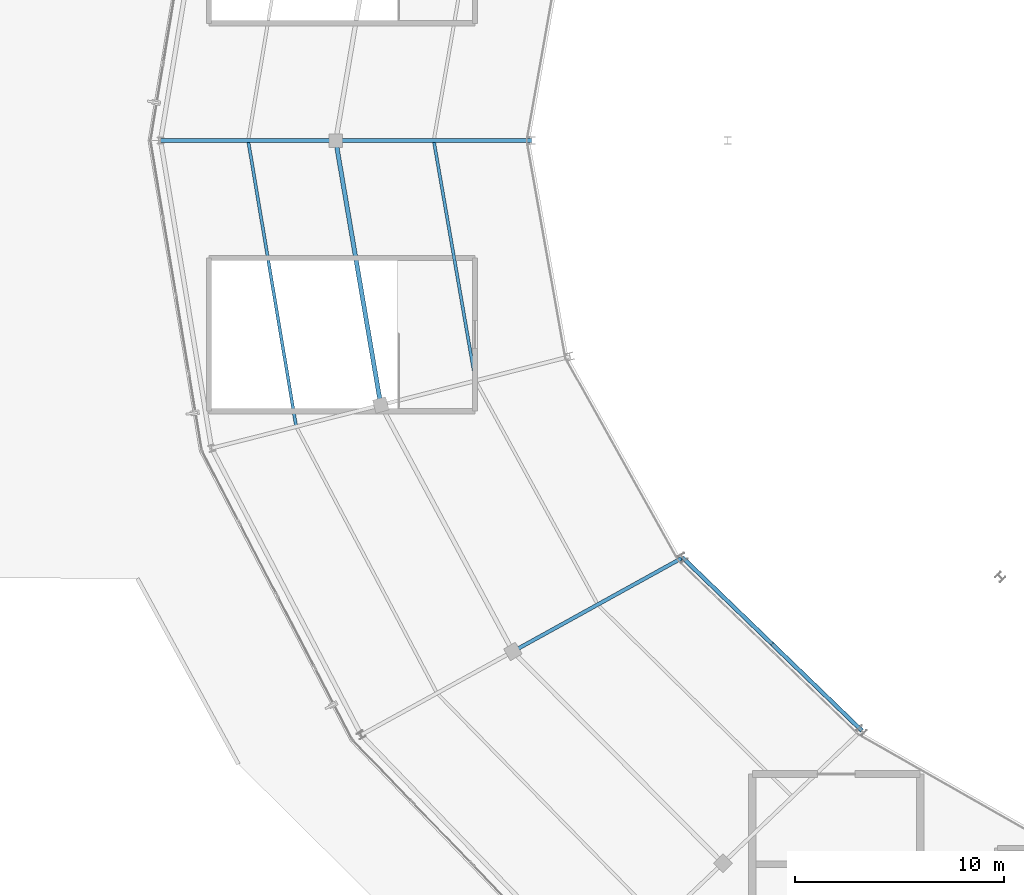
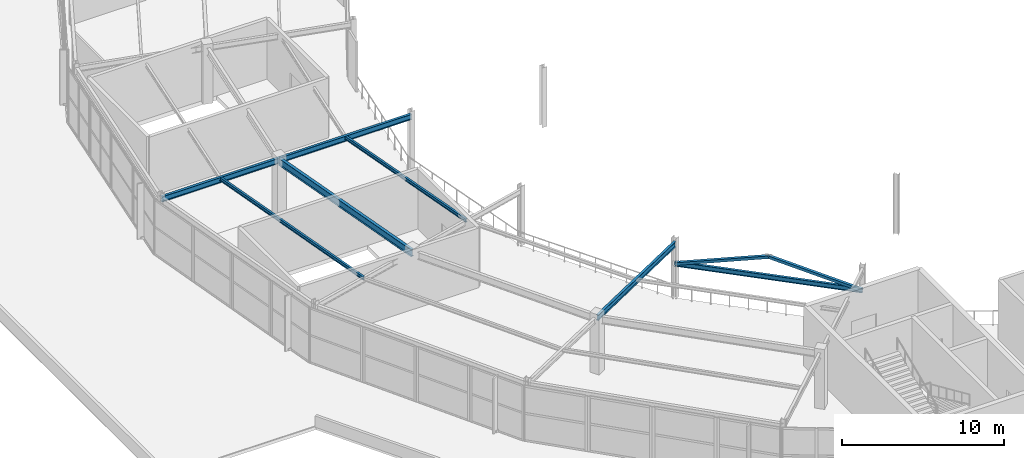
# One storey, part 32 of 126: 7 beams, 2 members.
"""IFC4 building model written with IfcOpenShell, lengths in metres."""

from ifc_helpers import new_model, si_unit, direction, frame, origin, origin_2d, place, context, subcontext, project, spatial, hollow_rectangle, i_section, extrude, material, material_profile, profile_set, type_object, element, save


model = new_model("IFC4")

# Units and contexts
model_context = context("Model", 3, precision=1e-05, world=origin(), true_north=direction((0.0, 1.0)))
body_context = subcontext(model_context, "Body", "Model", "MODEL_VIEW")
ifc_project = project(units=[si_unit("LENGTHUNIT", "METRE"), si_unit("AREAUNIT", "SQUARE_METRE"), si_unit("VOLUMEUNIT", "CUBIC_METRE"), si_unit("PLANEANGLEUNIT", "RADIAN"), si_unit("MASSUNIT", "GRAM", prefix="KILO")], contexts=[model_context])

# Site, building, storey
site_placement = place(None, origin())
site = spatial("IfcSite", under=ifc_project, at=site_placement, CompositionType="ELEMENT")
building_placement = place(site_placement, origin())
building = spatial("IfcBuilding", under=site, at=building_placement, Name="Kalgoora Escarpment Arena", CompositionType="ELEMENT")
storey_placement = place(building_placement, frame((0.0, 0.0, 18.89990234375)))
storey = spatial("IfcBuildingStorey", under=building, at=storey_placement, Name="L04", CompositionType="ELEMENT", Elevation=18.89990234375)

# Beams
ifc_material_1 = material(Name="Structural steel AS/NZS 3679 (300 MPa)", Category="steel")
ifc_material_profile_1 = material_profile(ifc_material_1, i_section(OverallWidth=0.14599609375, OverallDepth=0.256103515625, WebThickness=0.00634765625, FlangeThickness=0.010986328125, at=origin_2d()))
ifc_profile_set_1 = profile_set([ifc_material_profile_1], Name="Structural steel AS/NZS 3679 (300 MPa)")
beam_type_1 = type_object("IfcBeamType", Name="BM-BEAM-250UB37.3", PredefinedType="BEAM", material=ifc_profile_set_1)
beam_1_placement = place(storey_placement, frame((33.699951171875, 64.0, 4.08203125), z_axis=(0.171111128077, -0.985251735268, 0.0), x_axis=(0.985251735268, 0.171111128077, 0.0)))
element("IfcBeam", 1, at=beam_1_placement, inside=storey, type_object=beam_type_1, Name="L04 Concourse secondary ring beam 250UB37.3", PredefinedType="BEAM", context=body_context, shape_type="SweptSolid", body=[
    extrude(i_section(OverallWidth=0.14599609375, OverallDepth=0.256103515625, WebThickness=0.00634765625, FlangeThickness=0.010986328125, at=origin_2d()), origin(), (0.0, 0.0, 1.0), 11.689697265625),
])
beam_2_placement = place(storey_placement, frame((24.800048828125, 64.0, 4.08203125), z_axis=(0.165605701668, -0.986192045991, 0.0), x_axis=(0.986192045991, 0.165605701668, 0.0)))
element("IfcBeam", 2, at=beam_2_placement, inside=storey, type_object=beam_type_1, Name="L04 Concourse secondary ring beam 250UB37.3", PredefinedType="BEAM", context=body_context, shape_type="SweptSolid", body=[
    extrude(i_section(OverallWidth=0.14599609375, OverallDepth=0.256103515625, WebThickness=0.00634765625, FlangeThickness=0.010986328125, at=origin_2d()), origin(), (0.0, 0.0, 1.0), 13.909423828125),
])
ifc_material_2 = material(Name="Structural steel AS/NZS 3679 (300 MPa)", Category="steel")
ifc_material_profile_2 = material_profile(ifc_material_2, i_section(OverallWidth=0.1708984375, OverallDepth=0.35205078125, WebThickness=0.0068359375, FlangeThickness=0.009765625, at=origin_2d()))
ifc_profile_set_2 = profile_set([ifc_material_profile_2], Name="Structural steel AS/NZS 3679 (300 MPa)")
beam_type_2 = type_object("IfcBeamType", Name="BM-BEAM-360UB44.7", PredefinedType="BEAM", material=ifc_profile_set_2)
beam_3_placement = place(storey_placement, frame((45.634521484375, 44.0, 2.524169921875), z_axis=(0.719471992915, -0.694521454968, 0.0), x_axis=(0.694521454968, 0.719471992915, 0.0)))
element("IfcBeam", 3, at=beam_3_placement, inside=storey, type_object=beam_type_2, Name="L04 Portal brace collector beam 360UB44.7", PredefinedType="BEAM", context=body_context, shape_type="SweptSolid", body=[
    extrude(i_section(OverallWidth=0.1708984375, OverallDepth=0.35205078125, WebThickness=0.0068359375, FlangeThickness=0.009765625, at=origin_2d()), origin(), (0.0, 0.0, 1.0), 11.927978515625),
])
ifc_material_3 = material(Name="Structural steel AS/NZS 3679 (300 MPa)", Category="steel")
ifc_material_profile_3 = material_profile(ifc_material_3, i_section(OverallWidth=0.177978515625, OverallDepth=0.406005859375, WebThickness=0.0078125, FlangeThickness=0.0126953125, at=origin_2d()))
ifc_profile_set_3 = profile_set([ifc_material_profile_3], Name="Structural steel AS/NZS 3679 (300 MPa)")
beam_type_3 = type_object("IfcBeamType", Name="BM-GIRDER-410UB59.7", PredefinedType="USERDEFINED", material=ifc_profile_set_3)
beam_4_placement = place(storey_placement, frame((38.39990234375, 64.0, 4.007080078125), z_axis=(-1.0, 0.0, 0.0), x_axis=(0.0, -1.0, 0.0)))
element("IfcBeam", 4, at=beam_4_placement, inside=storey, type_object=beam_type_3, Name="L04 Radial concourse girder 410UB59.7", ObjectType="GIRDER", PredefinedType="USERDEFINED", context=body_context, shape_type="SweptSolid", body=[
    extrude(i_section(OverallWidth=0.177978515625, OverallDepth=0.406005859375, WebThickness=0.0078125, FlangeThickness=0.0126953125, at=origin_2d()), origin(), (0.0, 0.0, 1.0), 9.39990234375),
])
beam_5_placement = place(storey_placement, frame((29.0, 64.0, 4.007080078125), z_axis=(-1.0, 0.0, 0.0), x_axis=(0.0, -1.0, 0.0)))
element("IfcBeam", 5, at=beam_5_placement, inside=storey, type_object=beam_type_3, Name="L04 Radial concourse girder 410UB59.7", ObjectType="GIRDER", PredefinedType="USERDEFINED", context=body_context, shape_type="SweptSolid", body=[
    extrude(i_section(OverallWidth=0.177978515625, OverallDepth=0.406005859375, WebThickness=0.0078125, FlangeThickness=0.0126953125, at=origin_2d()), origin(), (0.0, 0.0, 1.0), 8.39990234375),
])
beam_6_placement = place(storey_placement, frame((45.634521484375, 44.0, 4.007080078125), z_axis=(-0.875185387072, -0.483787699571, 0.0), x_axis=(0.483787699571, -0.875185387072, 0.0)))
element("IfcBeam", 6, at=beam_6_placement, inside=storey, type_object=beam_type_3, Name="L04 Radial concourse girder 410UB59.7", ObjectType="GIRDER", PredefinedType="USERDEFINED", context=body_context, shape_type="SweptSolid", body=[
    extrude(i_section(OverallWidth=0.177978515625, OverallDepth=0.406005859375, WebThickness=0.0078125, FlangeThickness=0.0126953125, at=origin_2d()), origin(), (0.0, 0.0, 1.0), 9.301513671875),
])
ifc_material_4 = material(Name="Structural steel AS/NZS 3679 (300 MPa)", Category="steel")
ifc_material_profile_4 = material_profile(ifc_material_4, i_section(OverallWidth=0.208984375, OverallDepth=0.532958984375, WebThickness=0.01025390625, FlangeThickness=0.015625, at=origin_2d()))
ifc_profile_set_4 = profile_set([ifc_material_profile_4], Name="Structural steel AS/NZS 3679 (300 MPa)")
beam_type_4 = type_object("IfcBeamType", Name="BM-GIRDER-530UB92.4", PredefinedType="USERDEFINED", material=ifc_profile_set_4)
beam_7_placement = place(storey_placement, frame((29.0, 64.0, 3.943603515625), z_axis=(0.167930802249, -0.985798785583, 0.0), x_axis=(0.985798785583, 0.167930802249, 0.0)))
element("IfcBeam", 7, at=beam_7_placement, inside=storey, type_object=beam_type_4, Name="L04 Circumferential concourse girder RCONC1 530UB92.4", ObjectType="GIRDER", PredefinedType="USERDEFINED", context=body_context, shape_type="SweptSolid", body=[
    extrude(i_section(OverallWidth=0.208984375, OverallDepth=0.532958984375, WebThickness=0.01025390625, FlangeThickness=0.015625, at=origin_2d()), origin(), (0.0, 0.0, 1.0), 12.86474609375),
])

# Members
ifc_material_5 = material(Name="Structural steel C350 (350 MPa)", Category="steel")
ifc_material_profile_5 = material_profile(ifc_material_5, hollow_rectangle(XDim=0.199951171875, YDim=0.199951171875, WallThickness=0.009033203125, at=origin_2d()))
ifc_profile_set_5 = profile_set([ifc_material_profile_5], Name="Structural steel C350 (350 MPa)")
member_type = type_object("IfcMemberType", Name="MEM-BRACE-SHS200", PredefinedType="BRACE", material=ifc_profile_set_5)
member_1_placement = place(storey_placement, frame((45.634521484375, 44.0, 2.52001953125), z_axis=(0.696893494727, -0.672745094255, 0.248502505346), x_axis=(0.694531682696, 0.719462119733, 0.0)))
element("IfcMember", 8, at=member_1_placement, inside=storey, type_object=member_type, Name="L04 concentric lateral brace R15-1", PredefinedType="BRACE", context=body_context, shape_type="SweptSolid", body=[
    extrude(hollow_rectangle(XDim=0.199951171875, YDim=0.199951171875, WallThickness=0.009033203125, at=origin_2d()), origin(), (0.0, 0.0, 1.0), 6.156982421875),
])
member_2_placement = place(storey_placement, frame((54.21630859375, 35.7158203125, 2.52001953125), z_axis=(-0.69691388875, 0.672726504127, 0.248495638416), x_axis=(-0.694511227401, -0.71948186566, 0.0)))
element("IfcMember", 9, at=member_2_placement, inside=storey, type_object=member_type, Name="L04 concentric lateral brace R15-2", PredefinedType="BRACE", context=body_context, shape_type="SweptSolid", body=[
    extrude(hollow_rectangle(XDim=0.199951171875, YDim=0.199951171875, WallThickness=0.009033203125, at=origin_2d()), origin(), (0.0, 0.0, 1.0), 6.1572265625),
])

save(model, "model.ifc")
